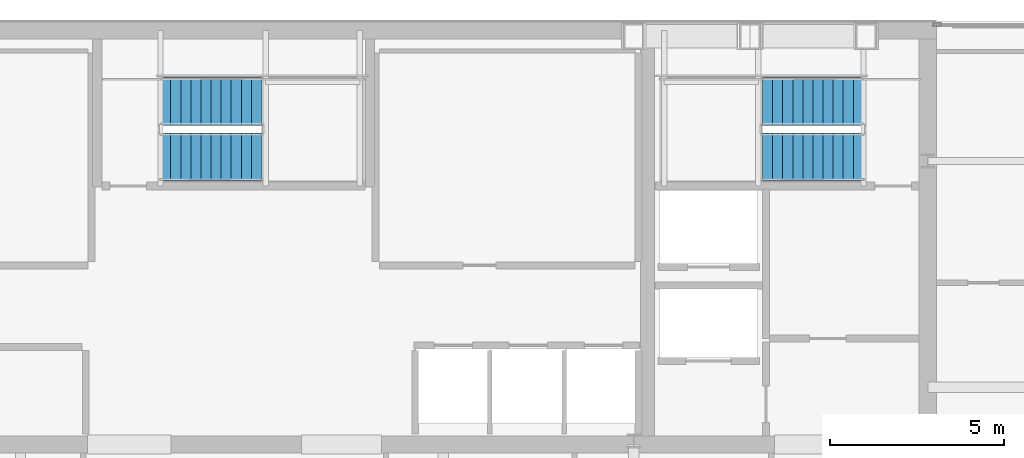
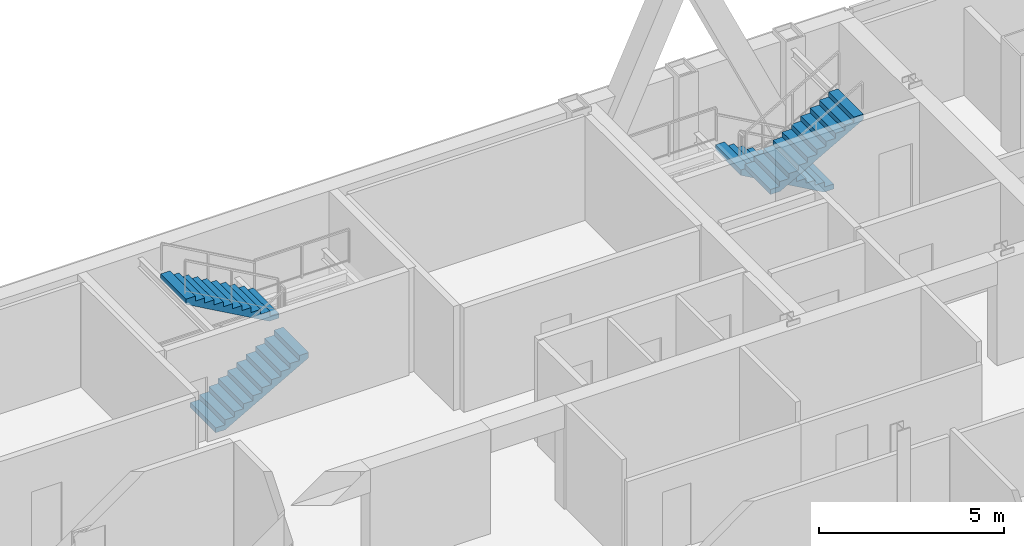
# One storey, part 28 of 30: 4 stair flights, 2 elements without a shape of their own.
"""IFC4 building model written with IfcOpenShell, lengths in metres."""

from ifc_helpers import new_model, si_unit, direction, frame, origin, place, context, subcontext, project, spatial, polyline, outline, extrude, material, type_object, element, aggregate, save


model = new_model("IFC4")

# Units and contexts
model_context = context("Model", 3, precision=1e-05, world=origin(), true_north=direction((0.0, 1.0)))
body_context = subcontext(model_context, "Body", "Model", "MODEL_VIEW")
ifc_project = project(units=[si_unit("LENGTHUNIT", "METRE"), si_unit("AREAUNIT", "SQUARE_METRE"), si_unit("VOLUMEUNIT", "CUBIC_METRE"), si_unit("PLANEANGLEUNIT", "RADIAN"), si_unit("MASSUNIT", "GRAM", prefix="KILO")], contexts=[model_context])

# Site, building, storey
site_placement = place(None, origin())
site = spatial("IfcSite", under=ifc_project, at=site_placement, CompositionType="ELEMENT")
building_placement = place(site_placement, origin())
building = spatial("IfcBuilding", under=site, at=building_placement, Name="Khoronbel Lancet Exchange", CompositionType="ELEMENT")
storey_placement = place(building_placement, frame((0.0, 0.0, 284.199951171875)))
storey = spatial("IfcBuildingStorey", under=building, at=storey_placement, Name="L73", CompositionType="ELEMENT", Elevation=284.199951171875)

# Stair, stair flights
ifc_material = material(Name="Concrete C40/50", Category="concrete")
stair_type = type_object("IfcStairType", Name="STR-CORE150", PredefinedType="HALF_TURN_STAIR", material=ifc_material)
stair_1_placement = place(storey_placement, origin())
stair_1 = element("IfcStair", 1, at=stair_1_placement, inside=storey, type_object=stair_type, Name="L73 Protected Exit Stair ST2", PredefinedType="HALF_TURN_STAIR")
stair_flight_type = type_object("IfcStairFlightType", Name="STF-150", PredefinedType="STRAIGHT", material=ifc_material)
stair_flight_1_placement = place(storey_placement, frame((54.60009765625, 51.409912109375, 0.0), z_axis=(0.0, 0.0, 1.0), x_axis=(-1.0, 0.0, 0.0)))
stair_flight_1 = element("IfcStairFlight", 2, at=stair_flight_1_placement, type_object=stair_flight_type, Name="ST2 flight 1", NumberOfRisers=11, NumberOfTreads=10, PredefinedType="STRAIGHT", RiserHeight=0.163636364, TreadLength=0.29, context=body_context, shape_type="SweptSolid", body=[
    extrude(outline(polyline([(0.0, 0.0), (0.0, 0.16357421875), (0.2900390625, 0.16357421875), (0.2900390625, 0.327392578125), (0.580078125, 0.327392578125), (0.580078125, 0.490966796875), (0.8701171875, 0.490966796875), (0.8701171875, 0.654541015625), (1.159912109375, 0.654541015625), (1.159912109375, 0.818115234375), (1.449951171875, 0.818115234375), (1.449951171875, 0.98193359375), (1.739990234375, 0.98193359375), (1.739990234375, 1.1455078125), (2.030029296875, 1.1455078125), (2.030029296875, 1.30908203125), (2.320068359375, 1.30908203125), (2.320068359375, 1.47265625), (2.610107421875, 1.47265625), (2.610107421875, 1.636474609375), (2.89990234375, 1.636474609375), (2.89990234375, 1.800048828125), (2.89990234375, 1.46435546875), (0.304931640625, 0.0), (0.0, 0.0)])), frame((0.0, 0.68994140625, 0.0), z_axis=(0.0, -1.0, 0.0), x_axis=(1.0, 0.0, 0.0)), (0.0, 0.0, 1.0), 1.3798828125),
])
stair_flight_2_placement = place(storey_placement, frame((51.699951171875, 49.81005859375, 1.800048828125), z_axis=(0.0, 0.0, 1.0), x_axis=(1.0, 0.0, 0.0)))
stair_flight_2 = element("IfcStairFlight", 3, at=stair_flight_2_placement, type_object=stair_flight_type, Name="ST2 flight 2", NumberOfRisers=11, NumberOfTreads=10, PredefinedType="STRAIGHT", RiserHeight=0.163636364, TreadLength=0.29, context=body_context, shape_type="SweptSolid", body=[
    extrude(outline(polyline([(0.0, 0.0), (0.0, 0.16357421875), (0.2900390625, 0.16357421875), (0.2900390625, 0.327392578125), (0.580078125, 0.327392578125), (0.580078125, 0.490966796875), (0.8701171875, 0.490966796875), (0.8701171875, 0.654541015625), (1.159912109375, 0.654541015625), (1.159912109375, 0.818115234375), (1.449951171875, 0.818115234375), (1.449951171875, 0.98193359375), (1.739990234375, 0.98193359375), (1.739990234375, 1.1455078125), (2.030029296875, 1.1455078125), (2.030029296875, 1.30908203125), (2.320068359375, 1.30908203125), (2.320068359375, 1.47265625), (2.610107421875, 1.47265625), (2.610107421875, 1.636474609375), (2.89990234375, 1.636474609375), (2.89990234375, 1.800048828125), (2.89990234375, 1.46435546875), (0.304931640625, 0.0), (0.0, 0.0)])), frame((0.0, 0.68994140625, 0.0), z_axis=(0.0, -1.0, 0.0), x_axis=(1.0, 0.0, 0.0)), (0.0, 0.0, 1.0), 1.3798828125),
])
aggregate(stair_1, [stair_flight_1, stair_flight_2])

stair_2_placement = place(storey_placement, origin())
stair_2 = element("IfcStair", 4, at=stair_2_placement, inside=storey, type_object=stair_type, Name="L73 Protected Exit Stair ST3", PredefinedType="HALF_TURN_STAIR")
stair_flight_3_placement = place(storey_placement, frame((34.39990234375, 49.81005859375, 0.0), z_axis=(0.0, 0.0, 1.0), x_axis=(1.0, 0.0, 0.0)))
stair_flight_3 = element("IfcStairFlight", 5, at=stair_flight_3_placement, type_object=stair_flight_type, Name="ST3 flight 1", NumberOfRisers=11, NumberOfTreads=10, PredefinedType="STRAIGHT", RiserHeight=0.163636364, TreadLength=0.29, context=body_context, shape_type="SweptSolid", body=[
    extrude(outline(polyline([(0.0, 0.0), (0.0, 0.16357421875), (0.2900390625, 0.16357421875), (0.2900390625, 0.327392578125), (0.580078125, 0.327392578125), (0.580078125, 0.490966796875), (0.8701171875, 0.490966796875), (0.8701171875, 0.654541015625), (1.159912109375, 0.654541015625), (1.159912109375, 0.818115234375), (1.449951171875, 0.818115234375), (1.449951171875, 0.98193359375), (1.739990234375, 0.98193359375), (1.739990234375, 1.1455078125), (2.030029296875, 1.1455078125), (2.030029296875, 1.30908203125), (2.320068359375, 1.30908203125), (2.320068359375, 1.47265625), (2.610107421875, 1.47265625), (2.610107421875, 1.636474609375), (2.89990234375, 1.636474609375), (2.89990234375, 1.800048828125), (2.89990234375, 1.46435546875), (0.304931640625, 0.0), (0.0, 0.0)])), frame((0.0, 0.68994140625, 0.0), z_axis=(0.0, -1.0, 0.0), x_axis=(1.0, 0.0, 0.0)), (0.0, 0.0, 1.0), 1.3798828125),
])
stair_flight_4_placement = place(storey_placement, frame((37.300048828125, 51.409912109375, 1.800048828125), z_axis=(0.0, 0.0, 1.0), x_axis=(-1.0, 0.0, 0.0)))
stair_flight_4 = element("IfcStairFlight", 6, at=stair_flight_4_placement, type_object=stair_flight_type, Name="ST3 flight 2", NumberOfRisers=11, NumberOfTreads=10, PredefinedType="STRAIGHT", RiserHeight=0.163636364, TreadLength=0.29, context=body_context, shape_type="SweptSolid", body=[
    extrude(outline(polyline([(0.0, 0.0), (0.0, 0.16357421875), (0.2900390625, 0.16357421875), (0.2900390625, 0.327392578125), (0.580078125, 0.327392578125), (0.580078125, 0.490966796875), (0.8701171875, 0.490966796875), (0.8701171875, 0.654541015625), (1.159912109375, 0.654541015625), (1.159912109375, 0.818115234375), (1.449951171875, 0.818115234375), (1.449951171875, 0.98193359375), (1.739990234375, 0.98193359375), (1.739990234375, 1.1455078125), (2.030029296875, 1.1455078125), (2.030029296875, 1.30908203125), (2.320068359375, 1.30908203125), (2.320068359375, 1.47265625), (2.610107421875, 1.47265625), (2.610107421875, 1.636474609375), (2.89990234375, 1.636474609375), (2.89990234375, 1.800048828125), (2.89990234375, 1.46435546875), (0.304931640625, 0.0), (0.0, 0.0)])), frame((0.0, 0.68994140625, 0.0), z_axis=(0.0, -1.0, 0.0), x_axis=(1.0, 0.0, 0.0)), (0.0, 0.0, 1.0), 1.3798828125),
])
aggregate(stair_2, [stair_flight_3, stair_flight_4])

save(model, "model.ifc")
